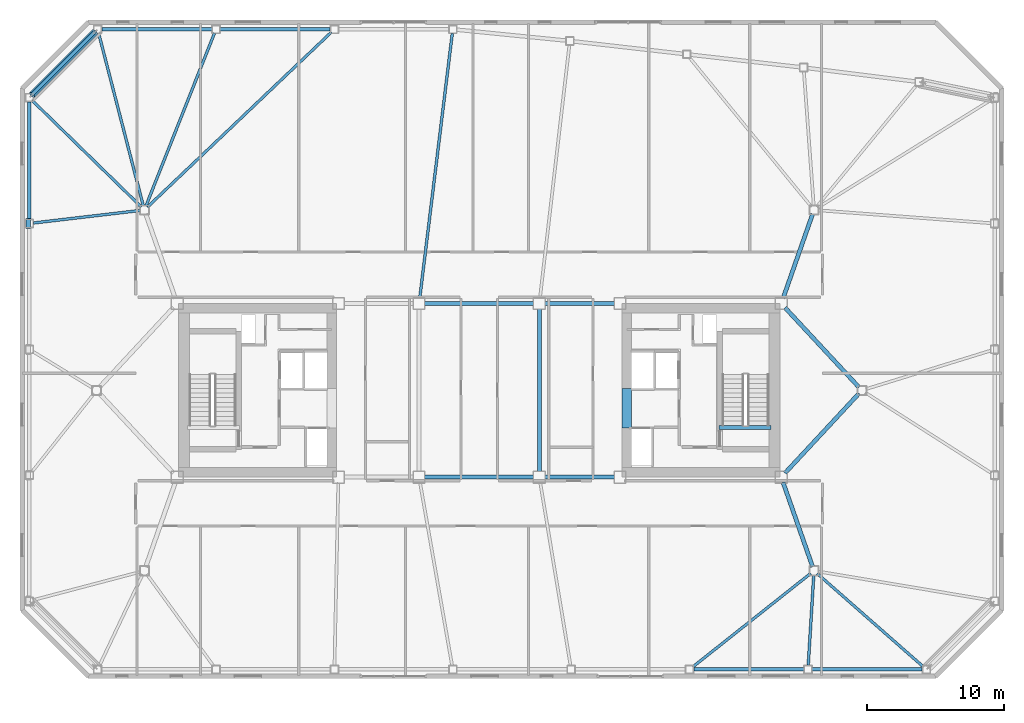
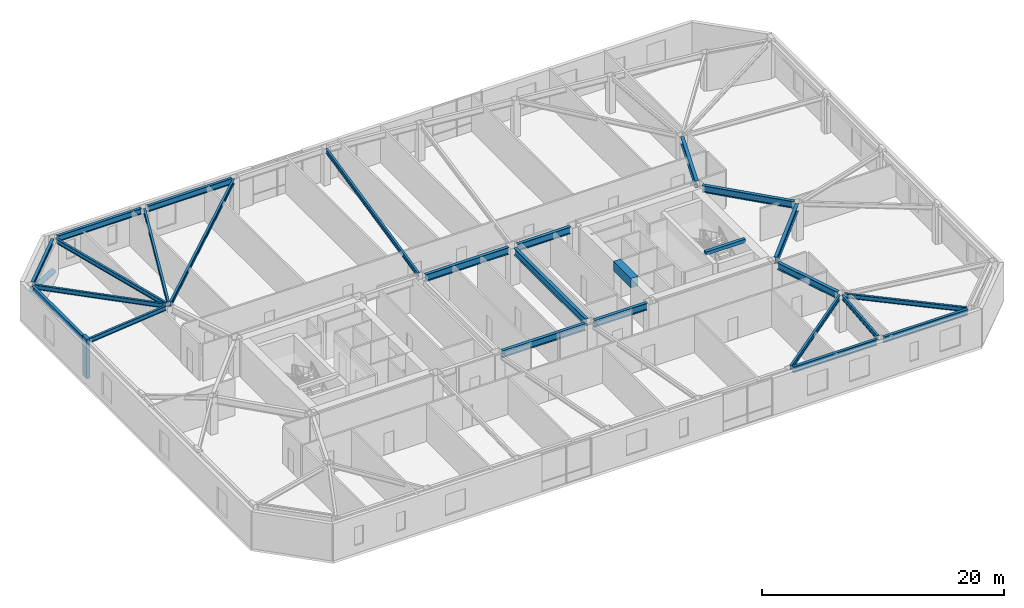
# One storey, part 5 of 18: 26 beams, 2 members.
"""IFC4 building model written with IfcOpenShell, lengths in metres."""

from ifc_helpers import new_model, si_unit, direction, frame, origin, origin_2d, place, context, subcontext, project, spatial, rectangle, hollow_circle, i_section, extrude, material, material_profile, profile_set, type_object, element, save


model = new_model("IFC4")

# Units and contexts
model_context = context("Model", 3, precision=1e-05, world=origin(), true_north=direction((0.0, 1.0)))
body_context = subcontext(model_context, "Body", "Model", "MODEL_VIEW")
ifc_project = project(units=[si_unit("LENGTHUNIT", "METRE"), si_unit("AREAUNIT", "SQUARE_METRE"), si_unit("VOLUMEUNIT", "CUBIC_METRE"), si_unit("PLANEANGLEUNIT", "RADIAN"), si_unit("MASSUNIT", "GRAM", prefix="KILO")], contexts=[model_context])

# Site, building, storey
site_placement = place(None, origin())
site = spatial("IfcSite", under=ifc_project, at=site_placement, CompositionType="ELEMENT")
building_placement = place(site_placement, origin())
building = spatial("IfcBuilding", under=site, at=building_placement, Name="Tavrogorsk Clinical Tower", CompositionType="ELEMENT")
storey_placement = place(building_placement, frame((0.0, 0.0, 192.199951171875)))
storey = spatial("IfcBuildingStorey", under=building, at=storey_placement, Name="L44", CompositionType="ELEMENT", Elevation=192.199951171875)

# Beam
ifc_material_1 = material(Name="Concrete B80", Category="concrete")
ifc_material_profile_1 = material_profile(ifc_material_1, rectangle(XDim=0.699951171875, YDim=0.949951171875, at=origin_2d()), Name="RC-CB-700x950")
ifc_profile_set_1 = profile_set([ifc_material_profile_1], Name="Concrete B80")
beam_type_1 = type_object("IfcBeamType", Name="CouplingBeam_RC700x950", PredefinedType="LINTEL", material=ifc_profile_set_1)
beam_1_placement = place(storey_placement, frame((10.800048828125, -2.75, 3.26513671875), z_axis=(0.0, 1.0, 0.0), x_axis=(-1.0, 0.0, 0.0)))
element("IfcBeam", 1, at=beam_1_placement, inside=storey, type_object=beam_type_1, Name="L44 Core East Coupling Beam", PredefinedType="LINTEL", context=body_context, shape_type="SweptSolid", body=[
    extrude(rectangle(XDim=0.699951171875, YDim=0.949951171875, at=origin_2d()), origin(), (0.0, 0.0, 1.0), 2.89990234375),
])

# Member
ifc_material_2 = material(Name="Structural steel S440", Category="steel")
ifc_material_profile_2 = material_profile(ifc_material_2, hollow_circle(Radius=0.25390625, WallThickness=0.02001953125, at=origin_2d()), Name="CHS-508x20")
ifc_profile_set_2 = profile_set([ifc_material_profile_2], Name="Structural steel S440")
member_type_1 = type_object("IfcMemberType", Name="ExoBrace_CHS508", PredefinedType="BRACE", material=ifc_profile_set_2)
member_1_placement = place(storey_placement, frame((-28.12255859375, 26.217529296875, 0.4130859375), z_axis=(-0.657758524103, -0.657758524103, 0.367025132572), x_axis=(0.707106781187, -0.707106781187, 0.0)))
element("IfcMember", 2, at=member_1_placement, inside=storey, type_object=member_type_1, Name="L44 Corner Exoskeleton Brace N8-W1", PredefinedType="BRACE", context=body_context, shape_type="SweptSolid", body=[
    extrude(hollow_circle(Radius=0.25390625, WallThickness=0.02001953125, at=origin_2d()), origin(), (0.0, 0.0, 1.0), 6.98583984375),
])

# Beams
ifc_material_3 = material(Name="Structural steel S355", Category="steel")
ifc_material_profile_3 = material_profile(ifc_material_3, i_section(OverallWidth=0.199951171875, OverallDepth=0.449951171875, WebThickness=0.011474609375, FlangeThickness=0.01806640625, at=origin_2d()), Name="B-450x200x11.5x18")
ifc_profile_set_3 = profile_set([ifc_material_profile_3], Name="Structural steel S355")
beam_type_2 = type_object("IfcBeamType", Name="FloorBeam_B450", PredefinedType="BEAM", material=ifc_profile_set_3)
beam_2_placement = place(storey_placement, frame((24.257080078125, -13.392578125, 3.51513671875), z_axis=(-0.783561002819, -0.621314859682, 0.0), x_axis=(0.621314859682, -0.783561002819, 0.0)))
element("IfcBeam", 3, at=beam_2_placement, inside=storey, type_object=beam_type_2, Name="L44 Radial Floor Beam S6", PredefinedType="BEAM", context=body_context, shape_type="SweptSolid", body=[
    extrude(i_section(OverallWidth=0.199951171875, OverallDepth=0.449951171875, WebThickness=0.011474609375, FlangeThickness=0.01806640625, at=origin_2d()), origin(), (0.0, 0.0, 1.0), 11.002685546875),
])
beam_3_placement = place(storey_placement, frame((24.48095703125, -13.509521484375, 3.51513671875), z_axis=(-0.061224865528, -0.998123998229, 0.0), x_axis=(0.998123998229, -0.061224865528, 0.0)))
element("IfcBeam", 4, at=beam_3_placement, inside=storey, type_object=beam_type_2, Name="L44 Radial Floor Beam S7", PredefinedType="BEAM", context=body_context, shape_type="SweptSolid", body=[
    extrude(i_section(OverallWidth=0.199951171875, OverallDepth=0.449951171875, WebThickness=0.011474609375, FlangeThickness=0.01806640625, at=origin_2d()), origin(), (0.0, 0.0, 1.0), 6.615478515625),
])
beam_4_placement = place(storey_placement, frame((24.73291015625, -13.404541015625, 3.51513671875), z_axis=(0.751322664981, -0.659935037019, 0.0), x_axis=(0.659935037019, 0.751322664981, 0.0)))
element("IfcBeam", 5, at=beam_4_placement, inside=storey, type_object=beam_type_2, Name="L44 Radial Floor Beam S8", PredefinedType="BEAM", context=body_context, shape_type="SweptSolid", body=[
    extrude(i_section(OverallWidth=0.199951171875, OverallDepth=0.449951171875, WebThickness=0.011474609375, FlangeThickness=0.01806640625, at=origin_2d()), origin(), (0.0, 0.0, 1.0), 10.322509765625),
])
beam_5_placement = place(storey_placement, frame((-4.349853515625, 6.7568359375, 3.51513671875), z_axis=(0.122074764034, 0.992520907581, 0.0), x_axis=(-0.992520907581, 0.122074764034, 0.0)))
element("IfcBeam", 6, at=beam_5_placement, inside=storey, type_object=beam_type_2, Name="L44 Radial Floor Beam N5", PredefinedType="BEAM", context=body_context, shape_type="SweptSolid", body=[
    extrude(i_section(OverallWidth=0.199951171875, OverallDepth=0.449951171875, WebThickness=0.011474609375, FlangeThickness=0.01806640625, at=origin_2d()), origin(), (0.0, 0.0, 1.0), 19.503173828125),
])
beam_6_placement = place(storey_placement, frame((-24.275390625, 13.41357421875, 3.51513671875), z_axis=(0.724748919983, 0.689013064451, 0.0), x_axis=(-0.689013064451, 0.724748919983, 0.0)))
element("IfcBeam", 7, at=beam_6_placement, inside=storey, type_object=beam_type_2, Name="L44 Radial Floor Beam N6", PredefinedType="BEAM", context=body_context, shape_type="SweptSolid", body=[
    extrude(i_section(OverallWidth=0.199951171875, OverallDepth=0.449951171875, WebThickness=0.011474609375, FlangeThickness=0.01806640625, at=origin_2d()), origin(), (0.0, 0.0, 1.0), 18.56884765625),
])
beam_7_placement = place(storey_placement, frame((-24.3857421875, 13.48828125, 3.51513671875), z_axis=(0.368659944508, 0.929564330918, 0.0), x_axis=(-0.929564330918, 0.368659944508, 0.0)))
element("IfcBeam", 8, at=beam_7_placement, inside=storey, type_object=beam_type_2, Name="L44 Radial Floor Beam N7", PredefinedType="BEAM", context=body_context, shape_type="SweptSolid", body=[
    extrude(i_section(OverallWidth=0.199951171875, OverallDepth=0.449951171875, WebThickness=0.011474609375, FlangeThickness=0.01806640625, at=origin_2d()), origin(), (0.0, 0.0, 1.0), 13.603759765625),
])
beam_8_placement = place(storey_placement, frame((-24.57763671875, 13.5, 3.51513671875), z_axis=(-0.250445465048, 0.968130708653, 0.0), x_axis=(-0.968130708653, -0.250445465048, 0.0)))
element("IfcBeam", 9, at=beam_8_placement, inside=storey, type_object=beam_type_2, Name="L44 Radial Floor Beam N8", PredefinedType="BEAM", context=body_context, shape_type="SweptSolid", body=[
    extrude(i_section(OverallWidth=0.199951171875, OverallDepth=0.449951171875, WebThickness=0.011474609375, FlangeThickness=0.01806640625, at=origin_2d()), origin(), (0.0, 0.0, 1.0), 13.037353515625),
])
beam_9_placement = place(storey_placement, frame((-24.721923828125, 13.41650390625, 3.51513671875), z_axis=(-0.715552053538, 0.698559416712, 0.0), x_axis=(-0.698559416712, -0.715552053538, 0.0)))
element("IfcBeam", 10, at=beam_9_placement, inside=storey, type_object=beam_type_2, Name="L44 Radial Floor Beam W1", PredefinedType="BEAM", context=body_context, shape_type="SweptSolid", body=[
    extrude(i_section(OverallWidth=0.199951171875, OverallDepth=0.449951171875, WebThickness=0.011474609375, FlangeThickness=0.01806640625, at=origin_2d()), origin(), (0.0, 0.0, 1.0), 11.149169921875),
])
beam_10_placement = place(storey_placement, frame((-24.807861328125, 13.163818359375, 3.51513671875), z_axis=(-0.993156539687, -0.116790785927, 0.0), x_axis=(0.116790785927, -0.993156539687, 0.0)))
element("IfcBeam", 11, at=beam_10_placement, inside=storey, type_object=beam_type_2, Name="L44 Radial Floor Beam W2", PredefinedType="BEAM", context=body_context, shape_type="SweptSolid", body=[
    extrude(i_section(OverallWidth=0.199951171875, OverallDepth=0.449951171875, WebThickness=0.011474609375, FlangeThickness=0.01806640625, at=origin_2d()), origin(), (0.0, 0.0, 1.0), 7.85986328125),
])

# Member
ifc_material_4 = material(Name="Precast concrete B45 with limestone cladding", Category="masonry")
ifc_material_profile_4 = material_profile(ifc_material_4, rectangle(XDim=0.320068359375, YDim=0.719970703125, at=origin_2d()), Name="LIMESTONE-FIN-320x720")
ifc_profile_set_4 = profile_set([ifc_material_profile_4], Name="Precast concrete B45 with limestone cladding")
member_type_2 = type_object("IfcMemberType", Name="LimestonePleatFin_320x720", PredefinedType="USERDEFINED", material=ifc_profile_set_4)
member_2_placement = place(storey_placement, frame((-33.0, 12.2099609375, 0.0), z_axis=(0.0, 0.0, 1.0), x_axis=(1.0, 0.0, 0.0)))
element("IfcMember", 12, at=member_2_placement, inside=storey, type_object=member_type_2, Name="L44 W Pleated Stone Fin 1", ObjectType="FIN", PredefinedType="USERDEFINED", context=body_context, shape_type="SweptSolid", body=[
    extrude(rectangle(XDim=0.320068359375, YDim=0.719970703125, at=origin_2d()), origin(), (0.0, 0.0, 1.0), 4.0),
])

# Beams
ifc_material_5 = material(Name="Structural steel S390", Category="steel")
ifc_material_profile_5 = material_profile(ifc_material_5, i_section(OverallWidth=0.300048828125, OverallDepth=0.699951171875, WebThickness=0.01708984375, FlangeThickness=0.028076171875, at=origin_2d()), Name="B-700x300x17x28")
ifc_profile_set_5 = profile_set([ifc_material_profile_5], Name="Structural steel S390")
beam_type_3 = type_object("IfcBeamType", Name="PrimaryGirder_B700", PredefinedType="USERDEFINED", material=ifc_profile_set_5)
for number, where, z_axis, x_axis, name in (
    (13, (-3.989990234375, -6.35009765625, 3.39013671875), (1.0, 0.0, 0.0), (0.0, 1.0, 0.0), "L44 Primary Spine Girder MG-03"),
    (14, (-3.989990234375, 6.35009765625, 3.39013671875), (1.0, 0.0, 0.0), (0.0, 1.0, 0.0), "L44 Primary Spine Girder MG-04"),
):
    element("IfcBeam", number, at=place(storey_placement, frame(where, z_axis=z_axis, x_axis=x_axis)), inside=storey, type_object=beam_type_3, Name=name, ObjectType="GIRDER", PredefinedType="USERDEFINED", context=body_context, shape_type="SweptSolid", body=[
        extrude(i_section(OverallWidth=0.300048828125, OverallDepth=0.699951171875, WebThickness=0.01708984375, FlangeThickness=0.028076171875, at=origin_2d()), origin(), (0.0, 0.0, 1.0), 7.97998046875),
    ])
for number, where, z_axis, x_axis, name in (
    (15, (4.81005859375, -6.35009765625, 3.39013671875), (1.0, 0.0, 0.0), (0.0, 1.0, 0.0), "L44 Primary Spine Girder MG-05"),
    (16, (4.81005859375, 6.35009765625, 3.39013671875), (1.0, 0.0, 0.0), (0.0, 1.0, 0.0), "L44 Primary Spine Girder MG-06"),
):
    element("IfcBeam", number, at=place(storey_placement, frame(where, z_axis=z_axis, x_axis=x_axis)), inside=storey, type_object=beam_type_3, Name=name, ObjectType="GIRDER", PredefinedType="USERDEFINED", context=body_context, shape_type="SweptSolid", body=[
        extrude(i_section(OverallWidth=0.300048828125, OverallDepth=0.699951171875, WebThickness=0.01708984375, FlangeThickness=0.028076171875, at=origin_2d()), origin(), (0.0, 0.0, 1.0), 5.079833984375),
    ])
beam_11_placement = place(storey_placement, frame((4.39990234375, -5.93994140625, 3.39013671875), z_axis=(0.0, 1.0, 0.0), x_axis=(-1.0, 0.0, 0.0)))
element("IfcBeam", 17, at=beam_11_placement, inside=storey, type_object=beam_type_3, Name="L44 Primary Spine Girder MG-08", ObjectType="GIRDER", PredefinedType="USERDEFINED", context=body_context, shape_type="SweptSolid", body=[
    extrude(i_section(OverallWidth=0.300048828125, OverallDepth=0.699951171875, WebThickness=0.01708984375, FlangeThickness=0.028076171875, at=origin_2d()), origin(), (0.0, 0.0, 1.0), 11.8798828125),
])
for number, where, z_axis, x_axis, name in (
    (18, (24.3974609375, -12.907470703125, 3.39013671875), (-0.33065312634, 0.94375235631, 0.0), (-0.94375235631, -0.33065312634, 0.0), "L44 Spine Link Girder OPG-2"),
    (19, (24.3974609375, 12.907470703125, 3.39013671875), (-0.33065312634, -0.94375235631, 0.0), (0.94375235631, -0.33065312634, 0.0), "L44 Spine Link Girder OPG-4"),
):
    element("IfcBeam", number, at=place(storey_placement, frame(where, z_axis=z_axis, x_axis=x_axis)), inside=storey, type_object=beam_type_3, Name=name, ObjectType="GIRDER", PredefinedType="USERDEFINED", context=body_context, shape_type="SweptSolid", body=[
        extrude(i_section(OverallWidth=0.300048828125, OverallDepth=0.699951171875, WebThickness=0.01708984375, FlangeThickness=0.028076171875, at=origin_2d()), origin(), (0.0, 0.0, 1.0), 6.5380859375),
    ])
for number, where, z_axis, x_axis, name in (
    (20, (27.7890625, -0.22705078125, 3.39013671875), (-0.680673750312, -0.732586681312, 0.0), (0.732586681312, -0.680673750312, 0.0), "L44 Spine Link Girder OPG-7"),
    (21, (27.7890625, 0.22705078125, 3.39013671875), (-0.680673750312, 0.732586681312, 0.0), (-0.732586681312, -0.680673750312, 0.0), "L44 Spine Link Girder OPG-8"),
):
    element("IfcBeam", number, at=place(storey_placement, frame(where, z_axis=z_axis, x_axis=x_axis)), inside=storey, type_object=beam_type_3, Name=name, ObjectType="GIRDER", PredefinedType="USERDEFINED", context=body_context, shape_type="SweptSolid", body=[
        extrude(i_section(OverallWidth=0.300048828125, OverallDepth=0.699951171875, WebThickness=0.01708984375, FlangeThickness=0.028076171875, at=origin_2d()), origin(), (0.0, 0.0, 1.0), 7.947998046875),
    ])
ifc_material_6 = material(Name="Structural steel S390", Category="steel")
ifc_material_profile_6 = material_profile(ifc_material_6, i_section(OverallWidth=0.260009765625, OverallDepth=0.60009765625, WebThickness=0.014892578125, FlangeThickness=0.02392578125, at=origin_2d()), Name="B-600x260x15x24")
ifc_profile_set_6 = profile_set([ifc_material_profile_6], Name="Structural steel S390")
beam_type_4 = type_object("IfcBeamType", Name="SpandrelBeam_B600", PredefinedType="SPANDREL", material=ifc_profile_set_6)
beam_12_placement = place(storey_placement, frame((15.702392578125, -20.419921875, 3.43994140625), z_axis=(1.0, 0.0, 0.0), x_axis=(0.0, 1.0, 0.0)))
element("IfcBeam", 22, at=beam_12_placement, inside=storey, type_object=beam_type_4, Name="L44 Perimeter Spandrel S6-S7", PredefinedType="SPANDREL", context=body_context, shape_type="SweptSolid", body=[
    extrude(i_section(OverallWidth=0.260009765625, OverallDepth=0.60009765625, WebThickness=0.014892578125, FlangeThickness=0.02392578125, at=origin_2d()), origin(), (0.0, 0.0, 1.0), 8.046630859375),
])
beam_13_placement = place(storey_placement, frame((24.364990234375, -20.419921875, 3.43994140625), z_axis=(1.0, 0.0, 0.0), x_axis=(0.0, 1.0, 0.0)))
element("IfcBeam", 23, at=beam_13_placement, inside=storey, type_object=beam_type_4, Name="L44 Perimeter Spandrel S7-S8", PredefinedType="SPANDREL", context=body_context, shape_type="SweptSolid", body=[
    extrude(i_section(OverallWidth=0.260009765625, OverallDepth=0.60009765625, WebThickness=0.014892578125, FlangeThickness=0.02392578125, at=origin_2d()), origin(), (0.0, 0.0, 1.0), 8.047119140625),
])
for number, where, z_axis, x_axis, name in (
    (24, (-10.90234375, 26.419921875, 3.43994140625), (-1.0, 0.0, 0.0), (0.0, -1.0, 0.0), "L44 Perimeter Spandrel N6-N7"),
    (25, (-19.565185546875, 26.419921875, 3.43994140625), (-1.0, 0.0, 0.0), (0.0, -1.0, 0.0), "L44 Perimeter Spandrel N7-N8"),
):
    element("IfcBeam", number, at=place(storey_placement, frame(where, z_axis=z_axis, x_axis=x_axis)), inside=storey, type_object=beam_type_4, Name=name, PredefinedType="SPANDREL", context=body_context, shape_type="SweptSolid", body=[
        extrude(i_section(OverallWidth=0.260009765625, OverallDepth=0.60009765625, WebThickness=0.014892578125, FlangeThickness=0.02392578125, at=origin_2d()), origin(), (0.0, 0.0, 1.0), 8.046875),
    ])
beam_14_placement = place(storey_placement, frame((-28.1376953125, 26.2021484375, 3.43994140625), z_axis=(-0.707106781187, -0.707106781187, 0.0), x_axis=(0.707106781187, -0.707106781187, 0.0)))
element("IfcBeam", 26, at=beam_14_placement, inside=storey, type_object=beam_type_4, Name="L44 Perimeter Spandrel N8-W1", PredefinedType="SPANDREL", context=body_context, shape_type="SweptSolid", body=[
    extrude(i_section(OverallWidth=0.260009765625, OverallDepth=0.60009765625, WebThickness=0.014892578125, FlangeThickness=0.02392578125, at=origin_2d()), origin(), (0.0, 0.0, 1.0), 6.455078125),
])
beam_15_placement = place(storey_placement, frame((-32.919921875, 21.112060546875, 3.43994140625), z_axis=(0.0, -1.0, 0.0), x_axis=(1.0, 0.0, 0.0)))
element("IfcBeam", 27, at=beam_15_placement, inside=storey, type_object=beam_type_4, Name="L44 Perimeter Spandrel W1-W2", PredefinedType="SPANDREL", context=body_context, shape_type="SweptSolid", body=[
    extrude(i_section(OverallWidth=0.260009765625, OverallDepth=0.60009765625, WebThickness=0.014892578125, FlangeThickness=0.02392578125, at=origin_2d()), origin(), (0.0, 0.0, 1.0), 8.593994140625),
])
ifc_material_7 = material(Name="Concrete B60", Category="concrete")
ifc_material_profile_7 = material_profile(ifc_material_7, rectangle(XDim=0.300048828125, YDim=0.35009765625, at=origin_2d()), Name="RC-SHB-300x350")
ifc_profile_set_7 = profile_set([ifc_material_profile_7], Name="Concrete B60")
beam_type_5 = type_object("IfcBeamType", Name="StairHeaderBeam_RC300x350", PredefinedType="BEAM", material=ifc_profile_set_7)
beam_16_placement = place(storey_placement, frame((17.550048828125, -2.719970703125, 3.824951171875), z_axis=(1.0, 0.0, 0.0), x_axis=(0.0, 1.0, 0.0)))
element("IfcBeam", 28, at=beam_16_placement, inside=storey, type_object=beam_type_5, Name="L45 ST-E Landing Header Beam", PredefinedType="BEAM", context=body_context, shape_type="SweptSolid", body=[
    extrude(rectangle(XDim=0.300048828125, YDim=0.35009765625, at=origin_2d()), origin(), (0.0, 0.0, 1.0), 3.800048828125),
])

save(model, "model.ifc")
